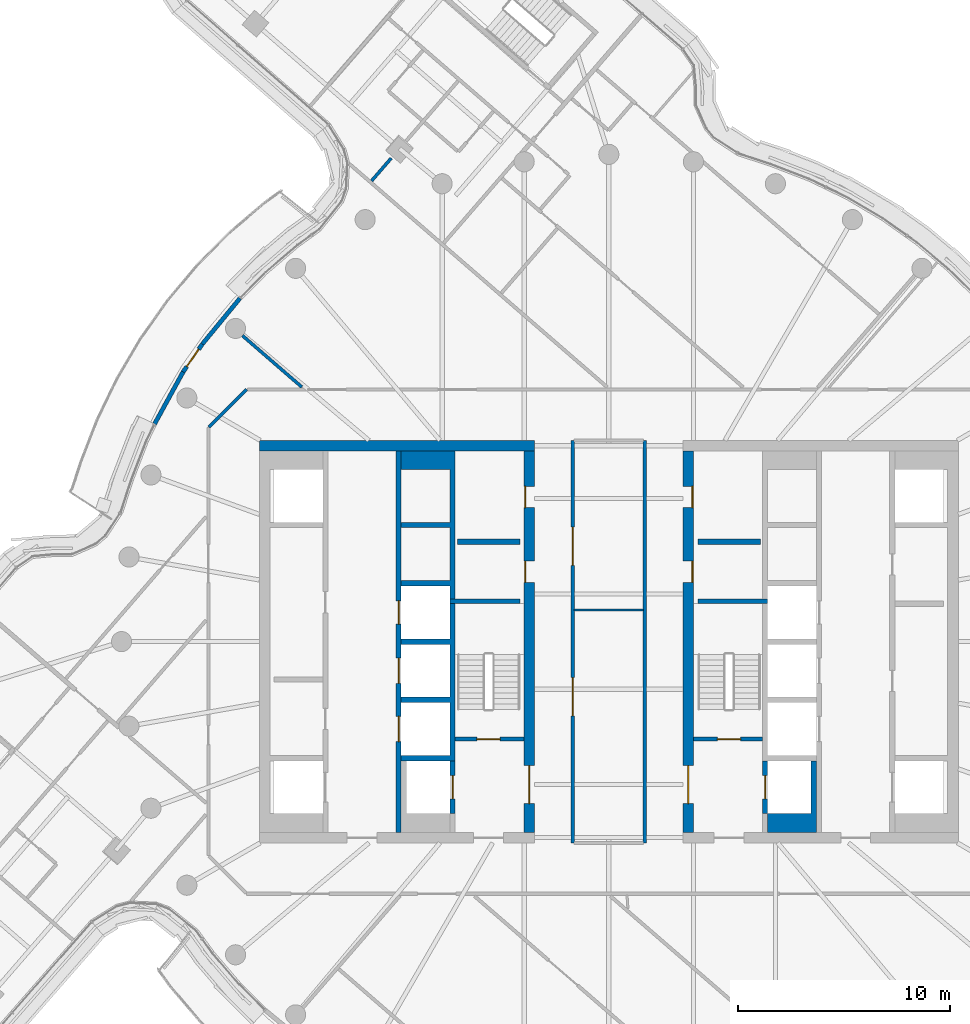
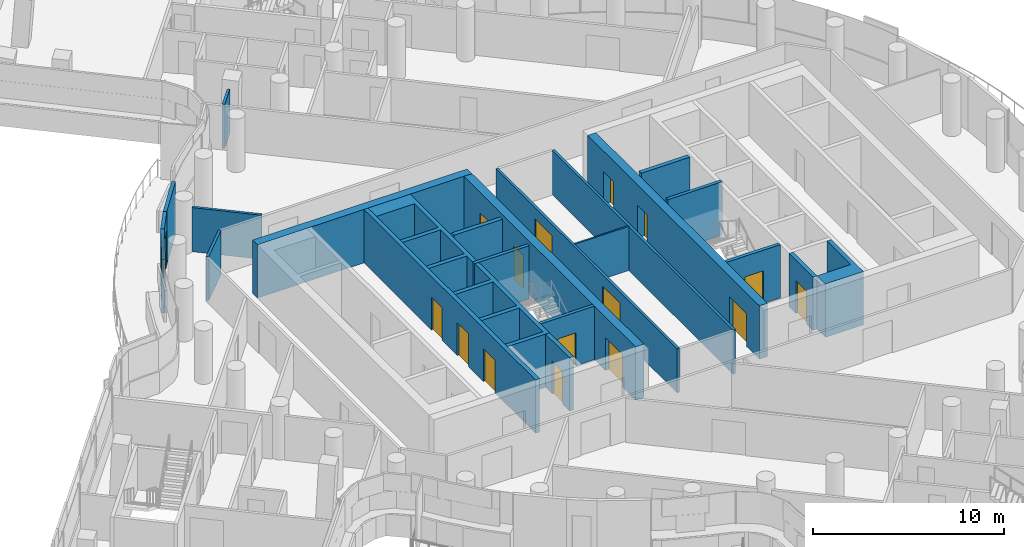
# One storey, part 21 of 32: 23 walls, 16 doors, 16 openings.
"""IFC4 building model written with IfcOpenShell, lengths in metres."""

from ifc_helpers import new_model, si_unit, direction, frame, frame_2d, origin, place, context, subcontext, project, spatial, polyline, rectangle, outline, extrude, material, layer, layer_set, type_object, element, fill, save


model = new_model("IFC4")

# Units and contexts
model_context = context("Model", 3, precision=1e-05, world=origin(), true_north=direction((0.0, 1.0)))
body_context = subcontext(model_context, "Body", "Model", "MODEL_VIEW")
ifc_project = project(units=[si_unit("LENGTHUNIT", "METRE"), si_unit("AREAUNIT", "SQUARE_METRE"), si_unit("VOLUMEUNIT", "CUBIC_METRE"), si_unit("PLANEANGLEUNIT", "RADIAN"), si_unit("MASSUNIT", "GRAM", prefix="KILO")], contexts=[model_context])

# Site, building, storey
site_placement = place(None, origin())
site = spatial("IfcSite", under=ifc_project, at=site_placement, CompositionType="ELEMENT")
building_placement = place(site_placement, origin())
building = spatial("IfcBuilding", under=site, at=building_placement, Name="Tamarind Cross Interchange Tower", CompositionType="ELEMENT")
storey_placement = place(building_placement, frame((0.0, 0.0, 211.300048828125)))
storey = spatial("IfcBuildingStorey", under=building, at=storey_placement, Name="L53", CompositionType="ELEMENT", Elevation=211.300048828125)

# Walls
ifc_material_1 = material(Name="Concrete C40", Category="concrete")
ifc_layer_1 = layer(ifc_material_1, 0.199951171875)
ifc_layer_set_1 = layer_set([ifc_layer_1], Name="Concrete C40")
wall_type_1 = type_object("IfcWallType", Name="Balcony and garden door wall", PredefinedType="SOLIDWALL", material=ifc_layer_set_1)
wall_1_placement = place(storey_placement, frame((-17.407958984375, 16.210693359375, 0.0), z_axis=(0.0, 0.0, 1.0), x_axis=(-0.634912325122, -0.772584195676, 0.0)))
element("IfcWall", 1, at=wall_1_placement, inside=storey, type_object=wall_type_1, Name="EXW-L53-10-D02L", PredefinedType="SOLIDWALL", context=body_context, shape_type="SweptSolid", body=[
    extrude(rectangle(XDim=2.800048828125, YDim=0.199951171875, at=frame_2d((1.39990234375, 0.0))), origin(), (0.0, 0.0, 1.0), 3.419921875),
])
wall_2_placement = place(storey_placement, frame((-20.09375, 12.73095703125, 0.0), z_axis=(0.0, 0.0, 1.0), x_axis=(-0.480854230323, -0.87680055268, 0.0)))
element("IfcWall", 2, at=wall_2_placement, inside=storey, type_object=wall_type_1, Name="EXW-L53-10-D02R", PredefinedType="SOLIDWALL", context=body_context, shape_type="SweptSolid", body=[
    extrude(rectangle(XDim=2.800537109375, YDim=0.199951171875, at=frame_2d((1.400390625, 0.0))), origin(), (0.0, 0.0, 1.0), 3.419921875),
])

# Wall, opening, door
wall_3_placement = place(storey_placement, frame((-19.185791015625, 14.04736328125, 0.0), z_axis=(0.0, 0.0, 1.0), x_axis=(-0.567772198578, -0.823185720552, 0.0)))
wall_3 = element("IfcWall", 3, at=wall_3_placement, inside=storey, type_object=wall_type_1, Name="EXW-L53-10-D02", PredefinedType="SOLIDWALL", context=body_context, shape_type="SweptSolid", body=[
    extrude(rectangle(XDim=1.59912109375, YDim=0.199951171875, at=frame_2d((0.799560546875, 0.0))), origin(), (0.0, 0.0, 1.0), 3.419921875),
])
opening_1_placement = place(wall_3_placement, frame((0.299560546875, 0.0, 0.0)))
opening_1 = element("IfcOpeningElement", 4, at=opening_1_placement, cuts=wall_3, Name="Opening D2", PredefinedType="OPENING", context=body_context, shape_type="SweptSolid", body=[
    extrude(rectangle(XDim=1.0, YDim=2.39990234375, at=frame_2d((0.5, 1.199951171875))), frame((0.0, 0.10986328125, 0.0), z_axis=(0.0, -1.0, 0.0), x_axis=(1.0, 0.0, 0.0)), (0.0, 0.0, 1.0), 0.219970703125),
])
ifc_material_2 = material(Name="Aluminium and toughened glass", Category="aluminium")
door_type_1 = type_object("IfcDoorType", Name="Balcony and garden door", OperationType="SINGLE_SWING_LEFT", PredefinedType="DOOR", material=ifc_material_2)
door_1_placement = place(opening_1_placement, origin())
door_1 = element("IfcDoor", 5, at=door_1_placement, inside=storey, type_object=door_type_1, Name="DOR-L53-10-02", OperationType="SINGLE_SWING_LEFT", OverallHeight=2.39990234375, OverallWidth=1.0, PredefinedType="DOOR", context=body_context, shape_type="SweptSolid", body=[
    extrude(rectangle(XDim=1.0, YDim=2.39990234375, at=frame_2d((0.5, 1.199951171875))), frame((0.0, 0.02490234375, 0.0), z_axis=(0.0, -1.0, 0.0), x_axis=(1.0, 0.0, 0.0)), (0.0, 0.0, 1.0), 0.050048828125),
])
fill(opening_1, door_1)

# Wall
ifc_material_3 = material(Name="Concrete C55", Category="concrete")
ifc_layer_2 = layer(ifc_material_3, 0.5)
ifc_layer_set_2 = layer_set([ifc_layer_2], Name="Concrete C55")
wall_type_2 = type_object("IfcWallType", Name="Core wall 500 mm Concrete C55", PredefinedType="SHEAR", material=ifc_layer_set_2)
wall_4_placement = place(storey_placement, frame((-16.5, 9.25, 0.0), z_axis=(0.0, 0.0, 1.0), x_axis=(1.0, 0.0, 0.0)))
element("IfcWall", 6, at=wall_4_placement, inside=storey, type_object=wall_type_2, Name="Core wall CWL-L53-W-NE", PredefinedType="SHEAR", context=body_context, shape_type="SweptSolid", body=[
    extrude(rectangle(XDim=13.0, YDim=0.5, at=frame_2d((6.5, 0.0))), origin(), (0.0, 0.0, 1.0), 3.419921875),
])

# Wall, openings, doors
wall_5_placement = place(storey_placement, frame((-3.75, -9.0, 0.0), z_axis=(0.0, 0.0, 1.0), x_axis=(0.0, 1.0, 0.0)))
wall_5 = element("IfcWall", 7, at=wall_5_placement, inside=storey, type_object=wall_type_2, Name="Core wall CWL-L53-W-IN", PredefinedType="SHEAR", context=body_context, shape_type="SweptSolid", body=[
    extrude(rectangle(XDim=18.0, YDim=0.5, at=frame_2d((9.0, 0.0))), origin(), (0.0, 0.0, 1.0), 3.419921875),
])
opening_2_placement = place(wall_5_placement, frame((1.35009765625, 0.0, 0.0)))
opening_2 = element("IfcOpeningElement", 8, at=opening_2_placement, cuts=wall_5, Name="Opening DCW4", PredefinedType="OPENING", context=body_context, shape_type="SweptSolid", body=[
    extrude(rectangle(XDim=1.800048828125, YDim=2.10009765625, at=frame_2d((0.89990234375, 1.050048828125))), frame((0.0, 0.260009765625, 0.0), z_axis=(0.0, -1.0, 0.0), x_axis=(1.0, 0.0, 0.0)), (0.0, 0.0, 1.0), 0.52001953125),
])
opening_3_placement = place(wall_5_placement, frame((11.797607421875, 0.0, 0.0)))
opening_3 = element("IfcOpeningElement", 9, at=opening_3_placement, cuts=wall_5, Name="Opening DCW5", PredefinedType="OPENING", context=body_context, shape_type="SweptSolid", body=[
    extrude(rectangle(XDim=1.0, YDim=2.10009765625, at=frame_2d((0.5, 1.050048828125))), frame((0.0, 0.260009765625, 0.0), z_axis=(0.0, -1.0, 0.0), x_axis=(1.0, 0.0, 0.0)), (0.0, 0.0, 1.0), 0.52001953125),
])
opening_4_placement = place(wall_5_placement, frame((15.322509765625, 0.0, 0.0)))
opening_4 = element("IfcOpeningElement", 10, at=opening_4_placement, cuts=wall_5, Name="Opening DCW5", PredefinedType="OPENING", context=body_context, shape_type="SweptSolid", body=[
    extrude(rectangle(XDim=1.0, YDim=2.10009765625, at=frame_2d((0.5, 1.050048828125))), frame((0.0, 0.260009765625, 0.0), z_axis=(0.0, -1.0, 0.0), x_axis=(1.0, 0.0, 0.0)), (0.0, 0.0, 1.0), 0.52001953125),
])
ifc_material_4 = material(Name="Steel, fire-resisting", Category="steel")
door_type_2 = type_object("IfcDoorType", Name="Core fire door 1000 x 2100 FD90", OperationType="SINGLE_SWING_LEFT", PredefinedType="DOOR", material=ifc_material_4)
door_2_placement = place(opening_3_placement, origin())
door_2 = element("IfcDoor", 11, at=door_2_placement, inside=storey, type_object=door_type_2, Name="L53 linen press door", OperationType="SINGLE_SWING_LEFT", OverallHeight=2.10009765625, OverallWidth=1.0, PredefinedType="DOOR", context=body_context, shape_type="SweptSolid", body=[
    extrude(rectangle(XDim=1.0, YDim=2.10009765625, at=frame_2d((0.5, 1.050048828125))), frame((0.0, 0.22509765625, 0.0), z_axis=(0.0, -1.0, 0.0), x_axis=(1.0, 0.0, 0.0)), (0.0, 0.0, 1.0), 0.050048828125),
])
fill(opening_3, door_2)
door_3_placement = place(opening_4_placement, origin())
door_3 = element("IfcDoor", 12, at=door_3_placement, inside=storey, type_object=door_type_2, Name="L53 housekeeping pantry door", OperationType="SINGLE_SWING_LEFT", OverallHeight=2.10009765625, OverallWidth=1.0, PredefinedType="DOOR", context=body_context, shape_type="SweptSolid", body=[
    extrude(rectangle(XDim=1.0, YDim=2.10009765625, at=frame_2d((0.5, 1.050048828125))), frame((0.0, 0.22509765625, 0.0), z_axis=(0.0, -1.0, 0.0), x_axis=(1.0, 0.0, 0.0)), (0.0, 0.0, 1.0), 0.050048828125),
])
fill(opening_4, door_3)
door_type_3 = type_object("IfcDoorType", Name="Core fire door 1800 x 2100 FD90", OperationType="SINGLE_SWING_LEFT", PredefinedType="DOOR", material=ifc_material_4)
door_4_placement = place(opening_2_placement, origin())
door_4 = element("IfcDoor", 13, at=door_4_placement, inside=storey, type_object=door_type_3, Name="L53 firefighting lobby door", OperationType="SINGLE_SWING_LEFT", OverallHeight=2.10009765625, OverallWidth=1.800048828125, PredefinedType="DOOR", context=body_context, shape_type="SweptSolid", body=[
    extrude(rectangle(XDim=1.800048828125, YDim=2.10009765625, at=frame_2d((0.89990234375, 1.050048828125))), frame((0.0, 0.02490234375, 0.0), z_axis=(0.0, -1.0, 0.0), x_axis=(1.0, 0.0, 0.0)), (0.0, 0.0, 1.0), 0.050048828125),
])
fill(opening_2, door_4)

wall_6_placement = place(storey_placement, frame((3.75, -9.0, 0.0), z_axis=(0.0, 0.0, 1.0), x_axis=(0.0, 1.0, 0.0)))
wall_6 = element("IfcWall", 14, at=wall_6_placement, inside=storey, type_object=wall_type_2, Name="Core wall CWL-L53-E-IN", PredefinedType="SHEAR", context=body_context, shape_type="SweptSolid", body=[
    extrude(rectangle(XDim=18.0, YDim=0.5, at=frame_2d((9.0, 0.0))), origin(), (0.0, 0.0, 1.0), 3.419921875),
])
opening_5_placement = place(wall_6_placement, frame((1.35009765625, 0.0, 0.0)))
opening_5 = element("IfcOpeningElement", 15, at=opening_5_placement, cuts=wall_6, Name="Opening DCE4", PredefinedType="OPENING", context=body_context, shape_type="SweptSolid", body=[
    extrude(rectangle(XDim=1.800048828125, YDim=2.10009765625, at=frame_2d((0.89990234375, 1.050048828125))), frame((0.0, 0.260009765625, 0.0), z_axis=(0.0, -1.0, 0.0), x_axis=(1.0, 0.0, 0.0)), (0.0, 0.0, 1.0), 0.52001953125),
])
opening_6_placement = place(wall_6_placement, frame((11.797607421875, 0.0, 0.0)))
opening_6 = element("IfcOpeningElement", 16, at=opening_6_placement, cuts=wall_6, Name="Opening DCE5", PredefinedType="OPENING", context=body_context, shape_type="SweptSolid", body=[
    extrude(rectangle(XDim=1.0, YDim=2.10009765625, at=frame_2d((0.5, 1.050048828125))), frame((0.0, 0.260009765625, 0.0), z_axis=(0.0, -1.0, 0.0), x_axis=(1.0, 0.0, 0.0)), (0.0, 0.0, 1.0), 0.52001953125),
])
opening_7_placement = place(wall_6_placement, frame((15.322509765625, 0.0, 0.0)))
opening_7 = element("IfcOpeningElement", 17, at=opening_7_placement, cuts=wall_6, Name="Opening DCE5", PredefinedType="OPENING", context=body_context, shape_type="SweptSolid", body=[
    extrude(rectangle(XDim=1.0, YDim=2.10009765625, at=frame_2d((0.5, 1.050048828125))), frame((0.0, 0.260009765625, 0.0), z_axis=(0.0, -1.0, 0.0), x_axis=(1.0, 0.0, 0.0)), (0.0, 0.0, 1.0), 0.52001953125),
])
door_5_placement = place(opening_6_placement, origin())
door_5 = element("IfcDoor", 18, at=door_5_placement, inside=storey, type_object=door_type_2, Name="L53 linen press door", OperationType="SINGLE_SWING_LEFT", OverallHeight=2.10009765625, OverallWidth=1.0, PredefinedType="DOOR", context=body_context, shape_type="SweptSolid", body=[
    extrude(rectangle(XDim=1.0, YDim=2.10009765625, at=frame_2d((0.5, 1.050048828125))), frame((0.0, -0.1748046875, 0.0), z_axis=(0.0, -1.0, 0.0), x_axis=(1.0, 0.0, 0.0)), (0.0, 0.0, 1.0), 0.050048828125),
])
fill(opening_6, door_5)
door_6_placement = place(opening_7_placement, origin())
door_6 = element("IfcDoor", 19, at=door_6_placement, inside=storey, type_object=door_type_2, Name="L53 housekeeping pantry door", OperationType="SINGLE_SWING_LEFT", OverallHeight=2.10009765625, OverallWidth=1.0, PredefinedType="DOOR", context=body_context, shape_type="SweptSolid", body=[
    extrude(rectangle(XDim=1.0, YDim=2.10009765625, at=frame_2d((0.5, 1.050048828125))), frame((0.0, -0.1748046875, 0.0), z_axis=(0.0, -1.0, 0.0), x_axis=(1.0, 0.0, 0.0)), (0.0, 0.0, 1.0), 0.050048828125),
])
fill(opening_7, door_6)
door_7_placement = place(opening_5_placement, origin())
door_7 = element("IfcDoor", 20, at=door_7_placement, inside=storey, type_object=door_type_3, Name="L53 firefighting lobby door", OperationType="SINGLE_SWING_LEFT", OverallHeight=2.10009765625, OverallWidth=1.800048828125, PredefinedType="DOOR", context=body_context, shape_type="SweptSolid", body=[
    extrude(rectangle(XDim=1.800048828125, YDim=2.10009765625, at=frame_2d((0.89990234375, 1.050048828125))), frame((0.0, 0.02490234375, 0.0), z_axis=(0.0, -1.0, 0.0), x_axis=(1.0, 0.0, 0.0)), (0.0, 0.0, 1.0), 0.050048828125),
])
fill(opening_5, door_7)

# Walls
ifc_layer_3 = layer(ifc_material_3, 0.199951171875)
ifc_layer_set_3 = layer_set([ifc_layer_3], Name="Concrete C55")
wall_type_3 = type_object("IfcWallType", Name="Core web wall 200 mm Concrete C55", PredefinedType="SHEAR", material=ifc_layer_set_3)
for number, where, z_axis, x_axis, name in (
    (21, (-7.5, 1.89990234375, 0.0), (0.0, 0.0, 1.0), (1.0, 0.0, 0.0), "Core wall CWL-L53-W-BD"),
    (22, (7.5, 1.89990234375, 0.0), (0.0, 0.0, 1.0), (-1.0, 0.0, 0.0), "Core wall CWL-L53-E-BD"),
):
    element("IfcWall", number, at=place(storey_placement, frame(where, z_axis=z_axis, x_axis=x_axis)), inside=storey, type_object=wall_type_3, Name=name, PredefinedType="SHEAR", context=body_context, shape_type="SweptSolid", body=[
        extrude(rectangle(XDim=3.300048828125, YDim=0.199951171875, at=frame_2d((1.64990234375, 0.0))), origin(), (0.0, 0.0, 1.0), 3.419921875),
    ])
ifc_layer_4 = layer(ifc_material_3, 0.25)
ifc_layer_set_4 = layer_set([ifc_layer_4], Name="Concrete C55")
wall_type_4 = type_object("IfcWallType", Name="Core web wall 250 mm Concrete C55", PredefinedType="SHEAR", material=ifc_layer_set_4)
wall_7_placement = place(storey_placement, origin())
element("IfcWall", 23, at=wall_7_placement, inside=storey, type_object=wall_type_4, Name="Core wall CWL-L53-W-BN", PredefinedType="SHEAR", context=body_context, shape_type="SweptSolid", body=[
    extrude(outline(polyline([(-9.800048828125, -5.375), (-9.800048828125, -5.625), (-7.5, -5.625), (-7.25, -5.625), (-7.25, 9.0), (-7.5, 9.0), (-9.800048828125, 9.0), (-9.800048828125, 8.125), (-7.5, 8.125), (-7.5, 5.625), (-9.800048828125, 5.625), (-9.800048828125, 5.375), (-7.5, 5.375), (-7.5, 2.875), (-9.800048828125, 2.875), (-9.800048828125, 2.625), (-7.5, 2.625), (-7.5, 0.125), (-9.800048828125, 0.125), (-9.800048828125, -0.125), (-7.5, -0.125), (-7.5, -2.625), (-9.800048828125, -2.625), (-9.800048828125, -2.875), (-7.5, -2.875), (-7.5, -5.375), (-9.800048828125, -5.375)])), origin(), (0.0, 0.0, 1.0), 3.419921875),
])

# Wall, openings, doors
wall_8_placement = place(storey_placement, frame((-9.925048828125, -9.0, 0.0), z_axis=(0.0, 0.0, 1.0), x_axis=(0.0, 1.0, 0.0)))
wall_8 = element("IfcWall", 24, at=wall_8_placement, inside=storey, type_object=wall_type_4, Name="Core wall CWL-L53-W-LB", PredefinedType="SHEAR", context=body_context, shape_type="SweptSolid", body=[
    extrude(rectangle(XDim=18.0, YDim=0.25, at=frame_2d((9.0, 0.0))), origin(), (0.0, 0.0, 1.0), 3.419921875),
])
opening_8_placement = place(wall_8_placement, frame((4.27490234375, 0.0, 0.0)))
opening_8 = element("IfcOpeningElement", 25, at=opening_8_placement, cuts=wall_8, Name="Opening LD8L53", PredefinedType="OPENING", context=body_context, shape_type="SweptSolid", body=[
    extrude(rectangle(XDim=1.199951171875, YDim=2.10009765625, at=frame_2d((0.60009765625, 1.050048828125))), frame((0.0, 0.135009765625, 0.0), z_axis=(0.0, -1.0, 0.0), x_axis=(1.0, 0.0, 0.0)), (0.0, 0.0, 1.0), 0.27001953125),
])
opening_9_placement = place(wall_8_placement, frame((7.02490234375, 0.0, 0.0)))
opening_9 = element("IfcOpeningElement", 26, at=opening_9_placement, cuts=wall_8, Name="Opening LD9L53", PredefinedType="OPENING", context=body_context, shape_type="SweptSolid", body=[
    extrude(rectangle(XDim=1.199951171875, YDim=2.10009765625, at=frame_2d((0.60009765625, 1.050048828125))), frame((0.0, 0.135009765625, 0.0), z_axis=(0.0, -1.0, 0.0), x_axis=(1.0, 0.0, 0.0)), (0.0, 0.0, 1.0), 0.27001953125),
])
opening_10_placement = place(wall_8_placement, frame((9.824951171875, 0.0, 0.0)))
opening_10 = element("IfcOpeningElement", 27, at=opening_10_placement, cuts=wall_8, Name="Opening LD10L53", PredefinedType="OPENING", context=body_context, shape_type="SweptSolid", body=[
    extrude(rectangle(XDim=1.10009765625, YDim=2.10009765625, at=frame_2d((0.550048828125, 1.050048828125))), frame((0.0, 0.135009765625, 0.0), z_axis=(0.0, -1.0, 0.0), x_axis=(1.0, 0.0, 0.0)), (0.0, 0.0, 1.0), 0.27001953125),
])
ifc_material_5 = material(Name="Stainless steel panel", Category="steel")
door_type_4 = type_object("IfcDoorType", Name="Lift landing door 1100 x 2100 E 120", OperationType="SLIDING_TO_LEFT", PredefinedType="DOOR", material=ifc_material_5)
door_8_placement = place(opening_10_placement, origin())
door_8 = element("IfcDoor", 28, at=door_8_placement, inside=storey, type_object=door_type_4, Name="L53 landing door LF10", OperationType="SLIDING_TO_LEFT", OverallHeight=2.10009765625, OverallWidth=1.10009765625, PredefinedType="DOOR", context=body_context, shape_type="SweptSolid", body=[
    extrude(rectangle(XDim=1.10009765625, YDim=2.10009765625, at=frame_2d((0.550048828125, 1.050048828125))), frame((0.0, 0.02490234375, 0.0), z_axis=(0.0, -1.0, 0.0), x_axis=(1.0, 0.0, 0.0)), (0.0, 0.0, 1.0), 0.050048828125),
])
fill(opening_10, door_8)
door_type_5 = type_object("IfcDoorType", Name="Lift landing door 1200 x 2100 E 120", OperationType="SLIDING_TO_LEFT", PredefinedType="DOOR", material=ifc_material_5)
door_9_placement = place(opening_8_placement, origin())
door_9 = element("IfcDoor", 29, at=door_9_placement, inside=storey, type_object=door_type_5, Name="L53 landing door LF8", OperationType="SLIDING_TO_LEFT", OverallHeight=2.10009765625, OverallWidth=1.199951171875, PredefinedType="DOOR", context=body_context, shape_type="SweptSolid", body=[
    extrude(rectangle(XDim=1.199951171875, YDim=2.10009765625, at=frame_2d((0.60009765625, 1.050048828125))), frame((0.0, 0.02490234375, 0.0), z_axis=(0.0, -1.0, 0.0), x_axis=(1.0, 0.0, 0.0)), (0.0, 0.0, 1.0), 0.050048828125),
])
fill(opening_8, door_9)
door_10_placement = place(opening_9_placement, origin())
door_10 = element("IfcDoor", 30, at=door_10_placement, inside=storey, type_object=door_type_5, Name="L53 landing door LF9", OperationType="SLIDING_TO_LEFT", OverallHeight=2.10009765625, OverallWidth=1.199951171875, PredefinedType="DOOR", context=body_context, shape_type="SweptSolid", body=[
    extrude(rectangle(XDim=1.199951171875, YDim=2.10009765625, at=frame_2d((0.60009765625, 1.050048828125))), frame((0.0, 0.02490234375, 0.0), z_axis=(0.0, -1.0, 0.0), x_axis=(1.0, 0.0, 0.0)), (0.0, 0.0, 1.0), 0.050048828125),
])
fill(opening_9, door_10)

# Wall, opening, door
wall_9_placement = place(storey_placement, frame((-7.375, -8.125, 0.0), z_axis=(0.0, 0.0, 1.0), x_axis=(0.0, 1.0, 0.0)))
wall_9 = element("IfcWall", 31, at=wall_9_placement, inside=storey, type_object=wall_type_4, Name="Core wall CWL-L53-W-FF", PredefinedType="SHEAR", context=body_context, shape_type="SweptSolid", body=[
    extrude(rectangle(XDim=2.5, YDim=0.25, at=frame_2d((1.25, 0.0))), origin(), (0.0, 0.0, 1.0), 3.419921875),
])
opening_11_placement = place(wall_9_placement, frame((0.699951171875, 0.0, 0.0)))
opening_11 = element("IfcOpeningElement", 32, at=opening_11_placement, cuts=wall_9, Name="Opening LD7L53", PredefinedType="OPENING", context=body_context, shape_type="SweptSolid", body=[
    extrude(rectangle(XDim=1.10009765625, YDim=2.10009765625, at=frame_2d((0.550048828125, 1.050048828125))), frame((0.0, 0.135009765625, 0.0), z_axis=(0.0, -1.0, 0.0), x_axis=(1.0, 0.0, 0.0)), (0.0, 0.0, 1.0), 0.27001953125),
])
door_11_placement = place(opening_11_placement, origin())
door_11 = element("IfcDoor", 33, at=door_11_placement, inside=storey, type_object=door_type_4, Name="L53 landing door LF7", OperationType="SLIDING_TO_LEFT", OverallHeight=2.10009765625, OverallWidth=1.10009765625, PredefinedType="DOOR", context=body_context, shape_type="SweptSolid", body=[
    extrude(rectangle(XDim=1.10009765625, YDim=2.10009765625, at=frame_2d((0.550048828125, 1.050048828125))), frame((0.0, 0.02490234375, 0.0), z_axis=(0.0, -1.0, 0.0), x_axis=(1.0, 0.0, 0.0)), (0.0, 0.0, 1.0), 0.050048828125),
])
fill(opening_11, door_11)

# Wall
wall_10_placement = place(storey_placement, origin())
element("IfcWall", 34, at=wall_10_placement, inside=storey, type_object=wall_type_4, Name="Core wall CWL-L53-E-BS", PredefinedType="SHEAR", context=body_context, shape_type="SweptSolid", body=[
    extrude(outline(polyline([(7.5, -8.125), (7.5, -9.0), (9.800048828125, -9.0), (9.800048828125, -8.125), (9.800048828125, -5.625), (9.550048828125, -5.625), (9.550048828125, -8.125), (7.5, -8.125)])), origin(), (0.0, 0.0, 1.0), 3.419921875),
])

# Wall, opening, door
wall_11_placement = place(storey_placement, frame((7.375, -8.125, 0.0), z_axis=(0.0, 0.0, 1.0), x_axis=(0.0, 1.0, 0.0)))
wall_11 = element("IfcWall", 35, at=wall_11_placement, inside=storey, type_object=wall_type_4, Name="Core wall CWL-L53-E-FF", PredefinedType="SHEAR", context=body_context, shape_type="SweptSolid", body=[
    extrude(rectangle(XDim=2.5, YDim=0.25, at=frame_2d((1.25, 0.0))), origin(), (0.0, 0.0, 1.0), 3.419921875),
])
opening_12_placement = place(wall_11_placement, frame((0.699951171875, 0.0, 0.0)))
opening_12 = element("IfcOpeningElement", 36, at=opening_12_placement, cuts=wall_11, Name="Opening LD19L53", PredefinedType="OPENING", context=body_context, shape_type="SweptSolid", body=[
    extrude(rectangle(XDim=1.10009765625, YDim=2.10009765625, at=frame_2d((0.550048828125, 1.050048828125))), frame((0.0, 0.135009765625, 0.0), z_axis=(0.0, -1.0, 0.0), x_axis=(1.0, 0.0, 0.0)), (0.0, 0.0, 1.0), 0.27001953125),
])
door_12_placement = place(opening_12_placement, origin())
door_12 = element("IfcDoor", 37, at=door_12_placement, inside=storey, type_object=door_type_4, Name="L53 landing door LF19", OperationType="SLIDING_TO_LEFT", OverallHeight=2.10009765625, OverallWidth=1.10009765625, PredefinedType="DOOR", context=body_context, shape_type="SweptSolid", body=[
    extrude(rectangle(XDim=1.10009765625, YDim=2.10009765625, at=frame_2d((0.550048828125, 1.050048828125))), frame((0.0, 0.02490234375, 0.0), z_axis=(0.0, -1.0, 0.0), x_axis=(1.0, 0.0, 0.0)), (0.0, 0.0, 1.0), 0.050048828125),
])
fill(opening_12, door_12)

# Walls
ifc_material_6 = material(Name="Gypsum board partition on steel studs", Category="steel")
ifc_layer_5 = layer(ifc_material_6, 0.10009765625)
ifc_layer_set_5 = layer_set([ifc_layer_5], Name="Gypsum board partition on steel studs")
wall_type_5 = type_object("IfcWallType", Name="Partition 100 mm EI 120", PredefinedType="PARTITIONING", material=ifc_layer_set_5)
wall_12_placement = place(storey_placement, frame((-1.639892578125, 1.5, 0.0), z_axis=(0.0, 0.0, 1.0), x_axis=(1.0, 0.0, 0.0)))
element("IfcWall", 38, at=wall_12_placement, inside=storey, type_object=wall_type_5, Name="Partition L53-031", PredefinedType="PARTITIONING", context=body_context, shape_type="SweptSolid", body=[
    extrude(rectangle(XDim=3.27978515625, YDim=0.10009765625, at=frame_2d((1.639892578125, 0.0))), origin(), (0.0, 0.0, 1.0), 2.823974609375),
])
ifc_layer_6 = layer(ifc_material_6, 0.14990234375)
ifc_layer_set_6 = layer_set([ifc_layer_6], Name="Gypsum board partition on steel studs")
wall_type_6 = type_object("IfcWallType", Name="Partition 150 mm EI 120", PredefinedType="PARTITIONING", material=ifc_layer_set_6)
wall_13_placement = place(storey_placement, frame((-17.294921875, 14.445556640625, 0.0), z_axis=(0.0, 0.0, 1.0), x_axis=(0.755890810331, -0.654697703415, 0.0)))
element("IfcWall", 39, at=wall_13_placement, inside=storey, type_object=wall_type_6, Name="Partition L53-009", PredefinedType="PARTITIONING", context=body_context, shape_type="SweptSolid", body=[
    extrude(rectangle(XDim=3.713134765625, YDim=0.14990234375, at=frame_2d((1.8564453125, 0.0))), origin(), (0.0, 0.0, 1.0), 2.823974609375),
])
wall_14_placement = place(storey_placement, frame((-18.87158203125, 10.12841796875, 0.0), z_axis=(0.0, 0.0, 1.0), x_axis=(0.707106781187, 0.707106781187, 0.0)))
element("IfcWall", 40, at=wall_14_placement, inside=storey, type_object=wall_type_6, Name="Partition L53-034", PredefinedType="PARTITIONING", context=body_context, shape_type="SweptSolid", body=[
    extrude(rectangle(XDim=2.50537109375, YDim=0.14990234375, at=frame_2d((1.252685546875, 0.0))), origin(), (0.0, 0.0, 1.0), 2.823974609375),
])
wall_15_placement = place(storey_placement, frame((-11.197509765625, 21.74951171875, 0.0), z_axis=(0.0, 0.0, 1.0), x_axis=(0.654772960392, 0.755825621648, 0.0)))
element("IfcWall", 41, at=wall_15_placement, inside=storey, type_object=wall_type_6, Name="Partition L53-044", PredefinedType="PARTITIONING", context=body_context, shape_type="SweptSolid", body=[
    extrude(rectangle(XDim=1.415771484375, YDim=0.14990234375, at=frame_2d((0.7080078125, 0.0))), origin(), (0.0, 0.0, 1.0), 2.823974609375),
])

# Wall, openings, doors
wall_16_placement = place(storey_placement, frame((-1.699951171875, -9.5, 0.0), z_axis=(0.0, 0.0, 1.0), x_axis=(0.0, 1.0, 0.0)))
wall_16 = element("IfcWall", 42, at=wall_16_placement, inside=storey, type_object=wall_type_6, Name="Partition L53-069", PredefinedType="PARTITIONING", context=body_context, shape_type="SweptSolid", body=[
    extrude(rectangle(XDim=19.0, YDim=0.14990234375, at=frame_2d((9.5, 0.0))), origin(), (0.0, 0.0, 1.0), 2.823974609375),
])
opening_13_placement = place(wall_16_placement, frame((6.0, 0.0, 0.0)))
opening_13 = element("IfcOpeningElement", 43, at=opening_13_placement, cuts=wall_16, Name="Opening D40", PredefinedType="OPENING", context=body_context, shape_type="SweptSolid", body=[
    extrude(rectangle(XDim=1.800048828125, YDim=2.10009765625, at=frame_2d((0.89990234375, 1.050048828125))), frame((0.0, 0.0849609375, 0.0), z_axis=(0.0, -1.0, 0.0), x_axis=(1.0, 0.0, 0.0)), (0.0, 0.0, 1.0), 0.169921875),
])
opening_14_placement = place(wall_16_placement, frame((13.10009765625, 0.0, 0.0)))
opening_14 = element("IfcOpeningElement", 44, at=opening_14_placement, cuts=wall_16, Name="Opening D41", PredefinedType="OPENING", context=body_context, shape_type="SweptSolid", body=[
    extrude(rectangle(XDim=1.800048828125, YDim=2.10009765625, at=frame_2d((0.89990234375, 1.050048828125))), frame((0.0, 0.0849609375, 0.0), z_axis=(0.0, -1.0, 0.0), x_axis=(1.0, 0.0, 0.0)), (0.0, 0.0, 1.0), 0.169921875),
])
ifc_material_7 = material(Name="Fire-resisting door set")
door_type_6 = type_object("IfcDoorType", Name="Interior door 1800 x 2100 FD60S", OperationType="DOUBLE_DOOR_SINGLE_SWING", PredefinedType="DOOR", material=ifc_material_7)
door_13_placement = place(opening_13_placement, frame((1.800048828125, 0.0, 0.0), z_axis=(0.0, 0.0, 1.0), x_axis=(-1.0, 0.0, 0.0)))
door_13 = element("IfcDoor", 45, at=door_13_placement, inside=storey, type_object=door_type_6, Name="Door D40", OperationType="DOUBLE_DOOR_SINGLE_SWING", OverallHeight=2.10009765625, OverallWidth=1.800048828125, PredefinedType="DOOR", context=body_context, shape_type="SweptSolid", body=[
    extrude(rectangle(XDim=1.800048828125, YDim=2.10009765625, at=frame_2d((0.89990234375, 1.050048828125))), frame((0.0, 0.02490234375, 0.0), z_axis=(0.0, -1.0, 0.0), x_axis=(1.0, 0.0, 0.0)), (0.0, 0.0, 1.0), 0.050048828125),
])
fill(opening_13, door_13)
door_14_placement = place(opening_14_placement, frame((1.800048828125, 0.0, 0.0), z_axis=(0.0, 0.0, 1.0), x_axis=(-1.0, 0.0, 0.0)))
door_14 = element("IfcDoor", 46, at=door_14_placement, inside=storey, type_object=door_type_6, Name="Door D41", OperationType="DOUBLE_DOOR_SINGLE_SWING", OverallHeight=2.10009765625, OverallWidth=1.800048828125, PredefinedType="DOOR", context=body_context, shape_type="SweptSolid", body=[
    extrude(rectangle(XDim=1.800048828125, YDim=2.10009765625, at=frame_2d((0.89990234375, 1.050048828125))), frame((0.0, 0.02490234375, 0.0), z_axis=(0.0, -1.0, 0.0), x_axis=(1.0, 0.0, 0.0)), (0.0, 0.0, 1.0), 0.050048828125),
])
fill(opening_14, door_14)

# Walls
wall_17_placement = place(storey_placement, frame((1.699951171875, -9.5, 0.0), z_axis=(0.0, 0.0, 1.0), x_axis=(0.0, 1.0, 0.0)))
element("IfcWall", 47, at=wall_17_placement, inside=storey, type_object=wall_type_6, Name="Partition L53-070", PredefinedType="PARTITIONING", context=body_context, shape_type="SweptSolid", body=[
    extrude(rectangle(XDim=19.0, YDim=0.14990234375, at=frame_2d((9.5, 0.0))), origin(), (0.0, 0.0, 1.0), 2.823974609375),
])
ifc_layer_7 = layer(ifc_material_1, 0.25)
ifc_layer_set_7 = layer_set([ifc_layer_7], Name="Concrete C40")
wall_type_7 = type_object("IfcWallType", Name="Shaft and lobby wall 250 mm Concrete C40", PredefinedType="PARTITIONING", material=ifc_layer_set_7)
for number, where, z_axis, x_axis, name in (
    (48, (-7.14990234375, 4.719970703125, 0.0), (0.0, 0.0, 1.0), (1.0, 0.0, 0.0), "Shaft wall CWL-L53-W-SVP"),
    (49, (7.14990234375, 4.719970703125, 0.0), (0.0, 0.0, 1.0), (-1.0, 0.0, 0.0), "Shaft wall CWL-L53-E-SVP"),
):
    element("IfcWall", number, at=place(storey_placement, frame(where, z_axis=z_axis, x_axis=x_axis)), inside=storey, type_object=wall_type_7, Name=name, PredefinedType="PARTITIONING", context=body_context, shape_type="SweptSolid", body=[
        extrude(rectangle(XDim=2.949951171875, YDim=0.25, at=frame_2d((1.47509765625, 0.0))), origin(), (0.0, 0.0, 1.0), 3.419921875),
    ])

# Wall, opening, door
ifc_layer_8 = layer(ifc_material_1, 0.199951171875)
ifc_layer_set_8 = layer_set([ifc_layer_8], Name="Concrete C40")
wall_type_8 = type_object("IfcWallType", Name="Stair shaft wall 200 mm Concrete C40", PredefinedType="SHEAR", material=ifc_layer_set_8)
wall_18_placement = place(storey_placement, frame((-7.25, -4.60009765625, 0.0), z_axis=(0.0, 0.0, 1.0), x_axis=(1.0, 0.0, 0.0)))
wall_18 = element("IfcWall", 50, at=wall_18_placement, inside=storey, type_object=wall_type_8, Name="Core wall CWL-L53-W-SD", PredefinedType="SHEAR", context=body_context, shape_type="SweptSolid", body=[
    extrude(rectangle(XDim=3.25, YDim=0.199951171875, at=frame_2d((1.625, 0.0))), origin(), (0.0, 0.0, 1.0), 3.419921875),
])
opening_15_placement = place(wall_18_placement, frame((1.02490234375, 0.0, 0.0)))
opening_15 = element("IfcOpeningElement", 51, at=opening_15_placement, cuts=wall_18, Name="Opening DCW6", PredefinedType="OPENING", context=body_context, shape_type="SweptSolid", body=[
    extrude(rectangle(XDim=1.10009765625, YDim=2.10009765625, at=frame_2d((0.550048828125, 1.050048828125))), frame((0.0, 0.10986328125, 0.0), z_axis=(0.0, -1.0, 0.0), x_axis=(1.0, 0.0, 0.0)), (0.0, 0.0, 1.0), 0.219970703125),
])
door_type_7 = type_object("IfcDoorType", Name="Core fire door 1100 x 2100 FD90", OperationType="SINGLE_SWING_LEFT", PredefinedType="DOOR", material=ifc_material_4)
door_15_placement = place(opening_15_placement, origin())
door_15 = element("IfcDoor", 52, at=door_15_placement, inside=storey, type_object=door_type_7, Name="L53 stair door", OperationType="SINGLE_SWING_LEFT", OverallHeight=2.10009765625, OverallWidth=1.10009765625, PredefinedType="DOOR", context=body_context, shape_type="SweptSolid", body=[
    extrude(rectangle(XDim=1.10009765625, YDim=2.10009765625, at=frame_2d((0.550048828125, 1.050048828125))), frame((0.0, 0.02490234375, 0.0), z_axis=(0.0, -1.0, 0.0), x_axis=(1.0, 0.0, 0.0)), (0.0, 0.0, 1.0), 0.050048828125),
])
fill(opening_15, door_15)

wall_19_placement = place(storey_placement, frame((7.25, -4.60009765625, 0.0), z_axis=(0.0, 0.0, 1.0), x_axis=(-1.0, 0.0, 0.0)))
wall_19 = element("IfcWall", 53, at=wall_19_placement, inside=storey, type_object=wall_type_8, Name="Core wall CWL-L53-E-SD", PredefinedType="SHEAR", context=body_context, shape_type="SweptSolid", body=[
    extrude(rectangle(XDim=3.25, YDim=0.199951171875, at=frame_2d((1.625, 0.0))), origin(), (0.0, 0.0, 1.0), 3.419921875),
])
opening_16_placement = place(wall_19_placement, frame((1.02490234375, 0.0, 0.0)))
opening_16 = element("IfcOpeningElement", 54, at=opening_16_placement, cuts=wall_19, Name="Opening DCE6", PredefinedType="OPENING", context=body_context, shape_type="SweptSolid", body=[
    extrude(rectangle(XDim=1.10009765625, YDim=2.10009765625, at=frame_2d((0.550048828125, 1.050048828125))), frame((0.0, 0.10986328125, 0.0), z_axis=(0.0, -1.0, 0.0), x_axis=(1.0, 0.0, 0.0)), (0.0, 0.0, 1.0), 0.219970703125),
])
door_16_placement = place(opening_16_placement, origin())
door_16 = element("IfcDoor", 55, at=door_16_placement, inside=storey, type_object=door_type_7, Name="L53 stair door", OperationType="SINGLE_SWING_LEFT", OverallHeight=2.10009765625, OverallWidth=1.10009765625, PredefinedType="DOOR", context=body_context, shape_type="SweptSolid", body=[
    extrude(rectangle(XDim=1.10009765625, YDim=2.10009765625, at=frame_2d((0.550048828125, 1.050048828125))), frame((0.0, 0.02490234375, 0.0), z_axis=(0.0, -1.0, 0.0), x_axis=(1.0, 0.0, 0.0)), (0.0, 0.0, 1.0), 0.050048828125),
])
fill(opening_16, door_16)

save(model, "model.ifc")
